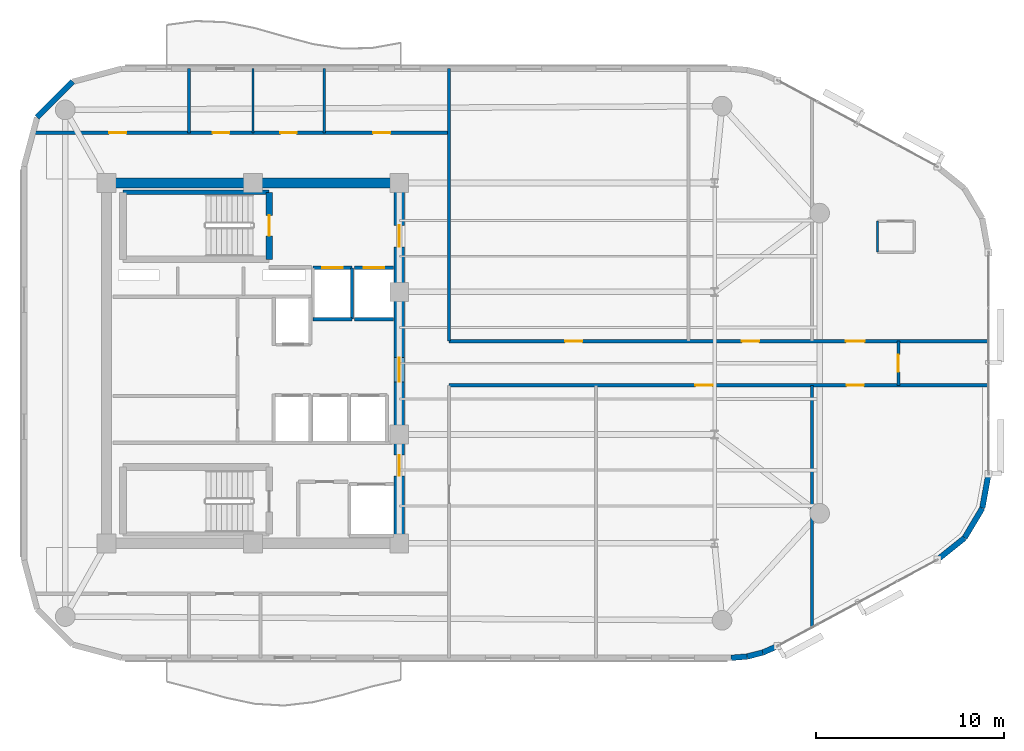
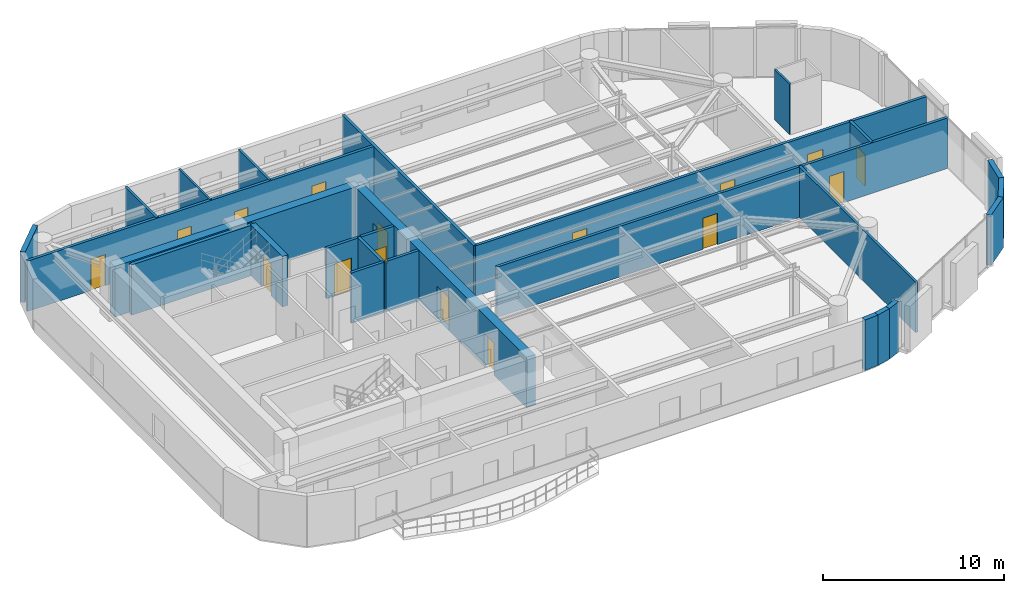
# One storey, part 10 of 13: 26 walls, 16 doors, 16 openings.
"""IFC4 building model written with IfcOpenShell, lengths in metres."""

from ifc_helpers import new_model, si_unit, direction, frame, frame_2d, origin, place, context, subcontext, project, spatial, rectangle, extrude, material, layer, layer_set, type_object, element, fill, save


model = new_model("IFC4")

# Units and contexts
model_context = context("Model", 3, precision=1e-05, world=origin(), true_north=direction((0.0, 1.0)))
body_context = subcontext(model_context, "Body", "Model", "MODEL_VIEW")
ifc_project = project(units=[si_unit("LENGTHUNIT", "METRE"), si_unit("AREAUNIT", "SQUARE_METRE"), si_unit("VOLUMEUNIT", "CUBIC_METRE"), si_unit("PLANEANGLEUNIT", "RADIAN"), si_unit("MASSUNIT", "GRAM", prefix="KILO")], contexts=[model_context])

# Site, building, storey
site_placement = place(None, origin())
site = spatial("IfcSite", under=ifc_project, at=site_placement, CompositionType="ELEMENT")
building_placement = place(site_placement, origin())
building = spatial("IfcBuilding", under=site, at=building_placement, Name="An Khanh Terracotta Commons", CompositionType="ELEMENT")
storey_placement = place(building_placement, frame((0.0, 0.0, 204.89990234375)))
storey = spatial("IfcBuildingStorey", under=building, at=storey_placement, Name="L53", CompositionType="ELEMENT", Elevation=204.89990234375)

# Wall
ifc_material_1 = material(Name="Concrete C50/60", Category="concrete")
ifc_layer_1 = layer(ifc_material_1, 0.550048828125, Name="Concrete C50/60")
ifc_layer_set_1 = layer_set([ifc_layer_1], Name="Concrete C50/60")
wall_type_1 = type_object("IfcWallType", Name="WALL-CORE-550", PredefinedType="SHEAR", material=ifc_layer_set_1)
wall_1_placement = place(storey_placement, frame((21.60009765625, 33.60009765625, 0.0), z_axis=(0.0, 0.0, 1.0), x_axis=(1.0, 0.0, 0.0)))
element("IfcWall", 1, at=wall_1_placement, inside=storey, type_object=wall_type_1, Name="L53 Core Wall CWALL-L53-N", PredefinedType="SHEAR", context=body_context, shape_type="SweptSolid", body=[
    extrude(rectangle(XDim=15.599853515625, YDim=0.550048828125, at=frame_2d((7.7998046875, 0.0))), origin(), (0.0, 0.0, 1.0), 3.400146484375),
])

# Wall, openings, doors
wall_2_placement = place(storey_placement, frame((37.199951171875, 14.39990234375, 0.0), z_axis=(0.0, 0.0, 1.0), x_axis=(0.0, 1.0, 0.0)))
wall_2 = element("IfcWall", 2, at=wall_2_placement, inside=storey, type_object=wall_type_1, Name="L53 Core Wall CWALL-L53-E", PredefinedType="SHEAR", context=body_context, shape_type="SweptSolid", body=[
    extrude(rectangle(XDim=19.2001953125, YDim=0.550048828125, at=frame_2d((9.60009765625, 0.0))), origin(), (0.0, 0.0, 1.0), 3.400146484375),
])
opening_1_placement = place(wall_2_placement, frame((15.800048828125, 0.0, 0.0)))
opening_1 = element("IfcOpeningElement", 3, at=opening_1_placement, cuts=wall_2, Name="Opening D-FFL", PredefinedType="OPENING", context=body_context, shape_type="SweptSolid", body=[
    extrude(rectangle(XDim=1.14990234375, YDim=2.14990234375, at=frame_2d((0.574951171875, 1.074951171875))), frame((0.0, 0.284912109375, 0.0), z_axis=(0.0, -1.0, 0.0), x_axis=(1.0, 0.0, 0.0)), (0.0, 0.0, 1.0), 0.570068359375),
])
opening_2_placement = place(wall_2_placement, frame((3.60009765625, 0.0, 0.0)))
opening_2 = element("IfcOpeningElement", 4, at=opening_2_placement, cuts=wall_2, Name="Opening D-ST", PredefinedType="OPENING", context=body_context, shape_type="SweptSolid", body=[
    extrude(rectangle(XDim=1.10009765625, YDim=2.14990234375, at=frame_2d((0.550048828125, 1.074951171875))), frame((0.0, 0.284912109375, 0.0), z_axis=(0.0, -1.0, 0.0), x_axis=(1.0, 0.0, 0.0)), (0.0, 0.0, 1.0), 0.570068359375),
])
opening_3_placement = place(wall_2_placement, frame((8.60009765625, 0.0, 0.0)))
opening_3 = element("IfcOpeningElement", 5, at=opening_3_placement, cuts=wall_2, Name="Opening D-COR", PredefinedType="OPENING", context=body_context, shape_type="SweptSolid", body=[
    extrude(rectangle(XDim=1.300048828125, YDim=2.199951171875, at=frame_2d((0.64990234375, 1.10009765625))), frame((0.0, 0.284912109375, 0.0), z_axis=(0.0, -1.0, 0.0), x_axis=(1.0, 0.0, 0.0)), (0.0, 0.0, 1.0), 0.570068359375),
])
ifc_material_2 = material(Name="Fire-Rated Glazed Steel Double Door", Category="steel")
door_type_1 = type_object("IfcDoorType", Name="DOOR-CORR-1300", OperationType="NOTDEFINED", PredefinedType="DOOR", material=ifc_material_2)
door_1_placement = place(opening_3_placement, origin())
door_1 = element("IfcDoor", 6, at=door_1_placement, inside=storey, type_object=door_type_1, Name="L53 Passenger Lift Lobby Double Door", OperationType="DOUBLE_DOOR_SINGLE_SWING", OverallHeight=2.199951171875, OverallWidth=1.300048828125, PredefinedType="DOOR", context=body_context, shape_type="SweptSolid", body=[
    extrude(rectangle(XDim=1.300048828125, YDim=2.199951171875, at=frame_2d((0.64990234375, 1.10009765625))), frame((0.0, 0.02490234375, 0.0), z_axis=(0.0, -1.0, 0.0), x_axis=(1.0, 0.0, 0.0)), (0.0, 0.0, 1.0), 0.050048828125),
])
fill(opening_3, door_1)
ifc_material_3 = material(Name="Fire-Rated Steel Leaf and Vision Panel", Category="steel")
door_type_2 = type_object("IfcDoorType", Name="DOOR-FFL-1150", OperationType="NOTDEFINED", PredefinedType="DOOR", material=ifc_material_3)
door_2_placement = place(opening_1_placement, origin())
door_2 = element("IfcDoor", 7, at=door_2_placement, inside=storey, type_object=door_type_2, Name="L53 Firefighting Lift Lobby Fire Door", OperationType="SINGLE_SWING_LEFT", OverallHeight=2.14990234375, OverallWidth=1.14990234375, PredefinedType="DOOR", context=body_context, shape_type="SweptSolid", body=[
    extrude(rectangle(XDim=1.14990234375, YDim=2.14990234375, at=frame_2d((0.574951171875, 1.074951171875))), frame((0.0, 0.02490234375, 0.0), z_axis=(0.0, -1.0, 0.0), x_axis=(1.0, 0.0, 0.0)), (0.0, 0.0, 1.0), 0.050048828125),
])
fill(opening_1, door_2)
ifc_material_4 = material(Name="Fire-Rated Steel Leaf and Frame", Category="steel")
door_type_3 = type_object("IfcDoorType", Name="DOOR-STAIR-1100", OperationType="NOTDEFINED", PredefinedType="DOOR", material=ifc_material_4)
door_3_placement = place(opening_2_placement, origin())
door_3 = element("IfcDoor", 8, at=door_3_placement, inside=storey, type_object=door_type_3, Name="L53 South Stair Lobby Fire Door", OperationType="SINGLE_SWING_RIGHT", OverallHeight=2.14990234375, OverallWidth=1.10009765625, PredefinedType="DOOR", context=body_context, shape_type="SweptSolid", body=[
    extrude(rectangle(XDim=1.10009765625, YDim=2.14990234375, at=frame_2d((0.550048828125, 1.074951171875))), frame((0.0, 0.02490234375, 0.0), z_axis=(0.0, -1.0, 0.0), x_axis=(1.0, 0.0, 0.0)), (0.0, 0.0, 1.0), 0.050048828125),
])
fill(opening_2, door_3)

# Wall, opening, door
ifc_material_5 = material(Name="Fire-Rated Gypsum Board on Steel Stud", Category="steel")
ifc_layer_2 = layer(ifc_material_5, 0.179931640625, Name="Fire-Rated Gypsum Board on Steel Stud")
ifc_layer_set_2 = layer_set([ifc_layer_2], Name="Fire-Rated Gypsum Board on Steel Stud")
wall_type_2 = type_object("IfcWallType", Name="WALL-CORR-180", PredefinedType="PARTITIONING", material=ifc_layer_set_2)
wall_3_placement = place(storey_placement, frame((32.60009765625, 29.080078125, 0.0), z_axis=(0.0, 0.0, 1.0), x_axis=(1.0, 0.0, 0.0)))
wall_3 = element("IfcWall", 9, at=wall_3_placement, inside=storey, type_object=wall_type_2, Name="L53 Core Wall LSH-L53-FFL-01-N", PredefinedType="PARTITIONING", context=body_context, shape_type="SweptSolid", body=[
    extrude(rectangle(XDim=2.079833984375, YDim=0.179931640625, at=frame_2d((1.0400390625, 0.0))), origin(), (0.0, 0.0, 1.0), 3.400146484375),
])
opening_4_placement = place(wall_3_placement, frame((0.489990234375, 0.0, 0.0)))
opening_4 = element("IfcOpeningElement", 10, at=opening_4_placement, cuts=wall_3, Name="Opening LD-FFL-01-L53", PredefinedType="OPENING", context=body_context, shape_type="SweptSolid", body=[
    extrude(rectangle(XDim=1.10009765625, YDim=2.199951171875, at=frame_2d((0.550048828125, 1.10009765625))), frame((0.0, 0.099853515625, 0.0), z_axis=(0.0, -1.0, 0.0), x_axis=(1.0, 0.0, 0.0)), (0.0, 0.0, 1.0), 0.199951171875),
])
ifc_material_6 = material(Name="Brushed Stainless Steel Fire Landing Door", Category="steel")
door_type_4 = type_object("IfcDoorType", Name="DOOR-LD-FFL-1100", OperationType="NOTDEFINED", PredefinedType="DOOR", material=ifc_material_6)
door_4_placement = place(opening_4_placement, origin())
door_4 = element("IfcDoor", 11, at=door_4_placement, inside=storey, type_object=door_type_4, Name="L53 Lift FFL-01 Sliding Landing Door", OperationType="DOUBLE_DOOR_SLIDING", OverallHeight=2.199951171875, OverallWidth=1.10009765625, PredefinedType="DOOR", context=body_context, shape_type="SweptSolid", body=[
    extrude(rectangle(XDim=1.10009765625, YDim=2.199951171875, at=frame_2d((0.550048828125, 1.10009765625))), frame((0.0, 0.02490234375, 0.0), z_axis=(0.0, -1.0, 0.0), x_axis=(1.0, 0.0, 0.0)), (0.0, 0.0, 1.0), 0.050048828125),
])
fill(opening_4, door_4)

# Walls
wall_4_placement = place(storey_placement, frame((34.679931640625, 26.35009765625, 0.0), z_axis=(0.0, 0.0, 1.0), x_axis=(-1.0, 0.0, 0.0)))
element("IfcWall", 12, at=wall_4_placement, inside=storey, type_object=wall_type_2, Name="L53 Core Wall LSH-L53-FFL-01-S", PredefinedType="PARTITIONING", context=body_context, shape_type="SweptSolid", body=[
    extrude(rectangle(XDim=2.079833984375, YDim=0.179931640625, at=frame_2d((1.0400390625, 0.0))), origin(), (0.0, 0.0, 1.0), 3.400146484375),
])
wall_5_placement = place(storey_placement, frame((34.679931640625, 26.35009765625, 0.0), z_axis=(0.0, 0.0, 1.0), x_axis=(0.0, 1.0, 0.0)))
element("IfcWall", 13, at=wall_5_placement, inside=storey, type_object=wall_type_2, Name="L53 Core Wall LSH-L53-FFL-01-E", PredefinedType="PARTITIONING", context=body_context, shape_type="SweptSolid", body=[
    extrude(rectangle(XDim=2.72998046875, YDim=0.179931640625, at=frame_2d((1.364990234375, 0.0))), origin(), (0.0, 0.0, 1.0), 3.400146484375),
])

# Wall, opening, door
wall_6_placement = place(storey_placement, frame((34.820068359375, 29.080078125, 0.0), z_axis=(0.0, 0.0, 1.0), x_axis=(1.0, 0.0, 0.0)))
wall_6 = element("IfcWall", 14, at=wall_6_placement, inside=storey, type_object=wall_type_2, Name="L53 Core Wall LSH-L53-FFL-02-N", PredefinedType="PARTITIONING", context=body_context, shape_type="SweptSolid", body=[
    extrude(rectangle(XDim=2.079833984375, YDim=0.179931640625, at=frame_2d((1.0400390625, 0.0))), origin(), (0.0, 0.0, 1.0), 3.400146484375),
])
opening_5_placement = place(wall_6_placement, frame((0.489990234375, 0.0, 0.0)))
opening_5 = element("IfcOpeningElement", 15, at=opening_5_placement, cuts=wall_6, Name="Opening LD-FFL-02-L53", PredefinedType="OPENING", context=body_context, shape_type="SweptSolid", body=[
    extrude(rectangle(XDim=1.10009765625, YDim=2.199951171875, at=frame_2d((0.550048828125, 1.10009765625))), frame((0.0, 0.099853515625, 0.0), z_axis=(0.0, -1.0, 0.0), x_axis=(1.0, 0.0, 0.0)), (0.0, 0.0, 1.0), 0.199951171875),
])
door_5_placement = place(opening_5_placement, origin())
door_5 = element("IfcDoor", 16, at=door_5_placement, inside=storey, type_object=door_type_4, Name="L53 Lift FFL-02 Sliding Landing Door", OperationType="DOUBLE_DOOR_SLIDING", OverallHeight=2.199951171875, OverallWidth=1.10009765625, PredefinedType="DOOR", context=body_context, shape_type="SweptSolid", body=[
    extrude(rectangle(XDim=1.10009765625, YDim=2.199951171875, at=frame_2d((0.550048828125, 1.10009765625))), frame((0.0, 0.02490234375, 0.0), z_axis=(0.0, -1.0, 0.0), x_axis=(1.0, 0.0, 0.0)), (0.0, 0.0, 1.0), 0.050048828125),
])
fill(opening_5, door_5)

# Wall
wall_7_placement = place(storey_placement, frame((36.89990234375, 26.35009765625, 0.0), z_axis=(0.0, 0.0, 1.0), x_axis=(-1.0, 0.0, 0.0)))
element("IfcWall", 17, at=wall_7_placement, inside=storey, type_object=wall_type_2, Name="L53 Core Wall LSH-L53-FFL-02-S", PredefinedType="PARTITIONING", context=body_context, shape_type="SweptSolid", body=[
    extrude(rectangle(XDim=2.079833984375, YDim=0.179931640625, at=frame_2d((1.0400390625, 0.0))), origin(), (0.0, 0.0, 1.0), 3.400146484375),
])

# Wall, openings, doors
wall_8_placement = place(storey_placement, frame((39.85009765625, 22.820068359375, 0.0), z_axis=(0.0, 0.0, 1.0), x_axis=(1.0, 0.0, 0.0)))
wall_8 = element("IfcWall", 18, at=wall_8_placement, inside=storey, type_object=wall_type_2, Name="L53 Interior Partition IW-L53-E002", PredefinedType="PARTITIONING", context=body_context, shape_type="SweptSolid", body=[
    extrude(rectangle(XDim=28.75, YDim=0.179931640625, at=frame_2d((14.375, 0.0))), origin(), (0.0, 0.0, 1.0), 3.400146484375),
])
opening_6_placement = place(wall_8_placement, frame((13.131103515625, 0.0, 0.0)))
opening_6 = element("IfcOpeningElement", 19, at=opening_6_placement, cuts=wall_8, Name="Opening D-RM", PredefinedType="OPENING", context=body_context, shape_type="SweptSolid", body=[
    extrude(rectangle(XDim=0.919921875, YDim=2.10009765625, at=frame_2d((0.4599609375, 1.050048828125))), frame((0.0, 0.099853515625, 0.0), z_axis=(0.0, -1.0, 0.0), x_axis=(1.0, 0.0, 0.0)), (0.0, 0.0, 1.0), 0.199951171875),
])
opening_7_placement = place(wall_8_placement, frame((21.18994140625, 0.0, 0.0)))
opening_7 = element("IfcOpeningElement", 20, at=opening_7_placement, cuts=wall_8, Name="Opening D-RM", PredefinedType="OPENING", context=body_context, shape_type="SweptSolid", body=[
    extrude(rectangle(XDim=0.919921875, YDim=2.10009765625, at=frame_2d((0.4599609375, 1.050048828125))), frame((0.0, 0.099853515625, 0.0), z_axis=(0.0, -1.0, 0.0), x_axis=(1.0, 0.0, 0.0)), (0.0, 0.0, 1.0), 0.199951171875),
])
ifc_material_7 = material(Name="Engineered Hardwood Timber Leaf", Category="wood")
door_type_5 = type_object("IfcDoorType", Name="DOOR-INT-920", OperationType="NOTDEFINED", PredefinedType="DOOR", material=ifc_material_7)
door_6_placement = place(opening_6_placement, origin())
door_6 = element("IfcDoor", 21, at=door_6_placement, inside=storey, type_object=door_type_5, Name="L53 SB2 Group Tutorial Meeting Room Door", OperationType="SINGLE_SWING_LEFT", OverallHeight=2.10009765625, OverallWidth=0.919921875, PredefinedType="DOOR", context=body_context, shape_type="SweptSolid", body=[
    extrude(rectangle(XDim=0.919921875, YDim=2.10009765625, at=frame_2d((0.4599609375, 1.050048828125))), frame((0.0, 0.02490234375, 0.0), z_axis=(0.0, -1.0, 0.0), x_axis=(1.0, 0.0, 0.0)), (0.0, 0.0, 1.0), 0.050048828125),
])
fill(opening_6, door_6)
door_7_placement = place(opening_7_placement, origin())
door_7 = element("IfcDoor", 22, at=door_7_placement, inside=storey, type_object=door_type_5, Name="L53 ENO2 Riverfront Reading Hall Door", OperationType="SINGLE_SWING_LEFT", OverallHeight=2.10009765625, OverallWidth=0.919921875, PredefinedType="DOOR", context=body_context, shape_type="SweptSolid", body=[
    extrude(rectangle(XDim=0.919921875, YDim=2.10009765625, at=frame_2d((0.4599609375, 1.050048828125))), frame((0.0, 0.02490234375, 0.0), z_axis=(0.0, -1.0, 0.0), x_axis=(1.0, 0.0, 0.0)), (0.0, 0.0, 1.0), 0.050048828125),
])
fill(opening_7, door_7)

wall_9_placement = place(storey_placement, frame((39.85009765625, 25.179931640625, 0.0), z_axis=(0.0, 0.0, 1.0), x_axis=(1.0, 0.0, 0.0)))
wall_9 = element("IfcWall", 23, at=wall_9_placement, inside=storey, type_object=wall_type_2, Name="L53 Interior Partition IW-L53-E003", PredefinedType="PARTITIONING", context=body_context, shape_type="SweptSolid", body=[
    extrude(rectangle(XDim=28.75, YDim=0.179931640625, at=frame_2d((14.375, 0.0))), origin(), (0.0, 0.0, 1.0), 3.400146484375),
])
opening_8_placement = place(wall_9_placement, frame((6.18505859375, 0.0, 0.0)))
opening_8 = element("IfcOpeningElement", 24, at=opening_8_placement, cuts=wall_9, Name="Opening D-RM", PredefinedType="OPENING", context=body_context, shape_type="SweptSolid", body=[
    extrude(rectangle(XDim=0.919921875, YDim=2.10009765625, at=frame_2d((0.4599609375, 1.050048828125))), frame((0.0, 0.099853515625, 0.0), z_axis=(0.0, -1.0, 0.0), x_axis=(1.0, 0.0, 0.0)), (0.0, 0.0, 1.0), 0.199951171875),
])
opening_9_placement = place(wall_9_placement, frame((15.60107421875, 0.0, 0.0)))
opening_9 = element("IfcOpeningElement", 25, at=opening_9_placement, cuts=wall_9, Name="Opening D-RM", PredefinedType="OPENING", context=body_context, shape_type="SweptSolid", body=[
    extrude(rectangle(XDim=0.919921875, YDim=2.10009765625, at=frame_2d((0.4599609375, 1.050048828125))), frame((0.0, 0.099853515625, 0.0), z_axis=(0.0, -1.0, 0.0), x_axis=(1.0, 0.0, 0.0)), (0.0, 0.0, 1.0), 0.199951171875),
])
opening_10_placement = place(wall_9_placement, frame((21.14990234375, 0.0, 0.0)))
opening_10 = element("IfcOpeningElement", 26, at=opening_10_placement, cuts=wall_9, Name="Opening D-UN", PredefinedType="OPENING", context=body_context, shape_type="SweptSolid", body=[
    extrude(rectangle(XDim=1.0, YDim=2.14990234375, at=frame_2d((0.5, 1.074951171875))), frame((0.0, 0.099853515625, 0.0), z_axis=(0.0, -1.0, 0.0), x_axis=(1.0, 0.0, 0.0)), (0.0, 0.0, 1.0), 0.199951171875),
])
door_8_placement = place(opening_8_placement, origin())
door_8 = element("IfcDoor", 27, at=door_8_placement, inside=storey, type_object=door_type_5, Name="L53 NB1 Group Tutorial Meeting Room Door", OperationType="SINGLE_SWING_RIGHT", OverallHeight=2.10009765625, OverallWidth=0.919921875, PredefinedType="DOOR", context=body_context, shape_type="SweptSolid", body=[
    extrude(rectangle(XDim=0.919921875, YDim=2.10009765625, at=frame_2d((0.4599609375, 1.050048828125))), frame((0.0, 0.02490234375, 0.0), z_axis=(0.0, -1.0, 0.0), x_axis=(1.0, 0.0, 0.0)), (0.0, 0.0, 1.0), 0.050048828125),
])
fill(opening_8, door_8)
door_9_placement = place(opening_9_placement, origin())
door_9 = element("IfcDoor", 28, at=door_9_placement, inside=storey, type_object=door_type_5, Name="L53 NB2 Group Tutorial Meeting Room Door", OperationType="SINGLE_SWING_LEFT", OverallHeight=2.10009765625, OverallWidth=0.919921875, PredefinedType="DOOR", context=body_context, shape_type="SweptSolid", body=[
    extrude(rectangle(XDim=0.919921875, YDim=2.10009765625, at=frame_2d((0.4599609375, 1.050048828125))), frame((0.0, 0.02490234375, 0.0), z_axis=(0.0, -1.0, 0.0), x_axis=(1.0, 0.0, 0.0)), (0.0, 0.0, 1.0), 0.050048828125),
])
fill(opening_9, door_9)
ifc_material_8 = material(Name="Solid-Core Hardwood Acoustic Fire Door", Category="wood")
door_type_6 = type_object("IfcDoorType", Name="DOOR-UNIT-1000", OperationType="NOTDEFINED", PredefinedType="DOOR", material=ifc_material_8)
door_10_placement = place(opening_10_placement, origin())
door_10 = element("IfcDoor", 29, at=door_10_placement, inside=storey, type_object=door_type_6, Name="L53 ENO1 Kitchenette and Studio Apartment Door", OperationType="SINGLE_SWING_RIGHT", OverallHeight=2.14990234375, OverallWidth=1.0, PredefinedType="DOOR", context=body_context, shape_type="SweptSolid", body=[
    extrude(rectangle(XDim=1.0, YDim=2.14990234375, at=frame_2d((0.5, 1.074951171875))), frame((0.0, 0.02490234375, 0.0), z_axis=(0.0, -1.0, 0.0), x_axis=(1.0, 0.0, 0.0)), (0.0, 0.0, 1.0), 0.050048828125),
])
fill(opening_10, door_10)

wall_10_placement = place(storey_placement, frame((17.677001953125, 36.280029296875, 0.0), z_axis=(0.0, 0.0, 1.0), x_axis=(1.0, 0.0, 0.0)))
wall_10 = element("IfcWall", 30, at=wall_10_placement, inside=storey, type_object=wall_type_2, Name="L53 Interior Partition IW-L53-E004", PredefinedType="PARTITIONING", context=body_context, shape_type="SweptSolid", body=[
    extrude(rectangle(XDim=22.173095703125, YDim=0.179931640625, at=frame_2d((11.08642578125, 0.0))), origin(), (0.0, 0.0, 1.0), 3.400146484375),
])
opening_11_placement = place(wall_10_placement, frame((9.572998046875, 0.0, 0.0)))
opening_11 = element("IfcOpeningElement", 31, at=opening_11_placement, cuts=wall_10, Name="Opening D-WC", PredefinedType="OPENING", context=body_context, shape_type="SweptSolid", body=[
    extrude(rectangle(XDim=0.89990234375, YDim=2.10009765625, at=frame_2d((0.449951171875, 1.050048828125))), frame((0.0, 0.099853515625, 0.0), z_axis=(0.0, -1.0, 0.0), x_axis=(1.0, 0.0, 0.0)), (0.0, 0.0, 1.0), 0.199951171875),
])
opening_12_placement = place(wall_10_placement, frame((13.193115234375, 0.0, 0.0)))
opening_12 = element("IfcOpeningElement", 32, at=opening_12_placement, cuts=wall_10, Name="Opening D-ENS", PredefinedType="OPENING", context=body_context, shape_type="SweptSolid", body=[
    extrude(rectangle(XDim=0.860107421875, YDim=2.10009765625, at=frame_2d((0.43017578125, 1.050048828125))), frame((0.0, 0.099853515625, 0.0), z_axis=(0.0, -1.0, 0.0), x_axis=(1.0, 0.0, 0.0)), (0.0, 0.0, 1.0), 0.199951171875),
])
opening_13_placement = place(wall_10_placement, frame((4.06298828125, 0.0, 0.0)))
opening_13 = element("IfcOpeningElement", 33, at=opening_13_placement, cuts=wall_10, Name="Opening D-RM", PredefinedType="OPENING", context=body_context, shape_type="SweptSolid", body=[
    extrude(rectangle(XDim=0.919921875, YDim=2.10009765625, at=frame_2d((0.4599609375, 1.050048828125))), frame((0.0, 0.099853515625, 0.0), z_axis=(0.0, -1.0, 0.0), x_axis=(1.0, 0.0, 0.0)), (0.0, 0.0, 1.0), 0.199951171875),
])
opening_14_placement = place(wall_10_placement, frame((18.1279296875, 0.0, 0.0)))
opening_14 = element("IfcOpeningElement", 34, at=opening_14_placement, cuts=wall_10, Name="Opening D-RM", PredefinedType="OPENING", context=body_context, shape_type="SweptSolid", body=[
    extrude(rectangle(XDim=0.919921875, YDim=2.10009765625, at=frame_2d((0.4599609375, 1.050048828125))), frame((0.0, 0.099853515625, 0.0), z_axis=(0.0, -1.0, 0.0), x_axis=(1.0, 0.0, 0.0)), (0.0, 0.0, 1.0), 0.199951171875),
])
ifc_material_9 = material(Name="Moisture-Resistant Hardwood Timber Leaf", Category="wood")
door_type_7 = type_object("IfcDoorType", Name="DOOR-BATH-860", OperationType="NOTDEFINED", PredefinedType="DOOR", material=ifc_material_9)
door_11_placement = place(opening_12_placement, origin())
door_11 = element("IfcDoor", 35, at=door_11_placement, inside=storey, type_object=door_type_7, Name="L53 SHW Resident Shared Shower and Washroom Door", OperationType="SINGLE_SWING_RIGHT", OverallHeight=2.10009765625, OverallWidth=0.860107421875, PredefinedType="DOOR", context=body_context, shape_type="SweptSolid", body=[
    extrude(rectangle(XDim=0.860107421875, YDim=2.10009765625, at=frame_2d((0.43017578125, 1.050048828125))), frame((0.0, 0.02490234375, 0.0), z_axis=(0.0, -1.0, 0.0), x_axis=(1.0, 0.0, 0.0)), (0.0, 0.0, 1.0), 0.050048828125),
])
fill(opening_12, door_11)
door_12_placement = place(opening_13_placement, origin())
door_12 = element("IfcDoor", 36, at=door_12_placement, inside=storey, type_object=door_type_5, Name="L53 NW1 Group Tutorial Meeting Room Door", OperationType="SINGLE_SWING_LEFT", OverallHeight=2.10009765625, OverallWidth=0.919921875, PredefinedType="DOOR", context=body_context, shape_type="SweptSolid", body=[
    extrude(rectangle(XDim=0.919921875, YDim=2.10009765625, at=frame_2d((0.4599609375, 1.050048828125))), frame((0.0, 0.02490234375, 0.0), z_axis=(0.0, -1.0, 0.0), x_axis=(1.0, 0.0, 0.0)), (0.0, 0.0, 1.0), 0.050048828125),
])
fill(opening_13, door_12)
door_13_placement = place(opening_14_placement, origin())
door_13 = element("IfcDoor", 37, at=door_13_placement, inside=storey, type_object=door_type_5, Name="L53 NWE Group Tutorial Meeting Room Door", OperationType="SINGLE_SWING_RIGHT", OverallHeight=2.10009765625, OverallWidth=0.919921875, PredefinedType="DOOR", context=body_context, shape_type="SweptSolid", body=[
    extrude(rectangle(XDim=0.919921875, YDim=2.10009765625, at=frame_2d((0.4599609375, 1.050048828125))), frame((0.0, 0.02490234375, 0.0), z_axis=(0.0, -1.0, 0.0), x_axis=(1.0, 0.0, 0.0)), (0.0, 0.0, 1.0), 0.050048828125),
])
fill(opening_14, door_13)
ifc_material_10 = material(Name="Laminate Moisture-Resistant Timber Leaf", Category="wood")
door_type_8 = type_object("IfcDoorType", Name="DOOR-WC-900", OperationType="NOTDEFINED", PredefinedType="DOOR", material=ifc_material_10)
door_14_placement = place(opening_11_placement, origin())
door_14 = element("IfcDoor", 38, at=door_14_placement, inside=storey, type_object=door_type_8, Name="L53 AWC Accessible WC Door", OperationType="SINGLE_SWING_LEFT", OverallHeight=2.10009765625, OverallWidth=0.89990234375, PredefinedType="DOOR", context=body_context, shape_type="SweptSolid", body=[
    extrude(rectangle(XDim=0.89990234375, YDim=2.10009765625, at=frame_2d((0.449951171875, 1.050048828125))), frame((0.0, 0.02490234375, 0.0), z_axis=(0.0, -1.0, 0.0), x_axis=(1.0, 0.0, 0.0)), (0.0, 0.0, 1.0), 0.050048828125),
])
fill(opening_11, door_14)

# Wall
wall_11_placement = place(storey_placement, frame((39.85009765625, 25.179931640625, 0.0), z_axis=(0.0, 0.0, 1.0), x_axis=(0.0, 1.0, 0.0)))
element("IfcWall", 39, at=wall_11_placement, inside=storey, type_object=wall_type_2, Name="L53 Interior Partition IW-L53-E011", PredefinedType="PARTITIONING", context=body_context, shape_type="SweptSolid", body=[
    extrude(rectangle(XDim=14.52001953125, YDim=0.179931640625, at=frame_2d((7.260009765625, 0.0))), origin(), (0.0, 0.0, 1.0), 3.400146484375),
])

# Wall, opening, door
wall_12_placement = place(storey_placement, frame((63.800048828125, 22.820068359375, 0.0), z_axis=(0.0, 0.0, 1.0), x_axis=(0.0, 1.0, 0.0)))
wall_12 = element("IfcWall", 40, at=wall_12_placement, inside=storey, type_object=wall_type_2, Name="L53 Interior Partition IW-L53-E016", PredefinedType="PARTITIONING", context=body_context, shape_type="SweptSolid", body=[
    extrude(rectangle(XDim=2.35986328125, YDim=0.179931640625, at=frame_2d((1.179931640625, 0.0))), origin(), (0.0, 0.0, 1.0), 3.400146484375),
])
opening_15_placement = place(wall_12_placement, frame((0.719970703125, 0.0, 0.0)))
opening_15 = element("IfcOpeningElement", 41, at=opening_15_placement, cuts=wall_12, Name="Opening D-RM", PredefinedType="OPENING", context=body_context, shape_type="SweptSolid", body=[
    extrude(rectangle(XDim=0.919921875, YDim=2.10009765625, at=frame_2d((0.4599609375, 1.050048828125))), frame((0.0, 0.099853515625, 0.0), z_axis=(0.0, -1.0, 0.0), x_axis=(1.0, 0.0, 0.0)), (0.0, 0.0, 1.0), 0.199951171875),
])
door_15_placement = place(opening_15_placement, origin())
door_15 = element("IfcDoor", 42, at=door_15_placement, inside=storey, type_object=door_type_5, Name="L53 ENO3 Quiet Focus Office Door", OperationType="SINGLE_SWING_RIGHT", OverallHeight=2.10009765625, OverallWidth=0.919921875, PredefinedType="DOOR", context=body_context, shape_type="SweptSolid", body=[
    extrude(rectangle(XDim=0.919921875, YDim=2.10009765625, at=frame_2d((0.4599609375, 1.050048828125))), frame((0.0, 0.02490234375, 0.0), z_axis=(0.0, -1.0, 0.0), x_axis=(1.0, 0.0, 0.0)), (0.0, 0.0, 1.0), 0.050048828125),
])
fill(opening_15, door_15)

# Walls
ifc_material_11 = material(Name="Precast concrete C40/50", Category="concrete")
ifc_layer_3 = layer(ifc_material_11, 0.300048828125, Name="Precast concrete C40/50")
ifc_layer_set_3 = layer_set([ifc_layer_3], Name="Precast concrete C40/50")
wall_type_3 = type_object("IfcWallType", Name="WALL-EXT-300", PredefinedType="SOLIDWALL", material=ifc_layer_set_3)
wall_13_placement = place(storey_placement, frame((54.885009765625, 8.300048828125, 0.0), z_axis=(0.0, 0.0, 1.0), x_axis=(0.996565355958, 0.082809971041, 0.0)))
element("IfcWall", 43, at=wall_13_placement, inside=storey, type_object=wall_type_3, Name="L53 Insulated Terracotta Exterior Wall 5", PredefinedType="SOLIDWALL", context=body_context, shape_type="SweptSolid", body=[
    extrude(rectangle(XDim=0.85791015625, YDim=0.300048828125, at=frame_2d((0.428955078125, 0.0))), origin(), (0.0, 0.0, 1.0), 3.400146484375),
])
wall_14_placement = place(storey_placement, frame((55.739990234375, 8.37109375, 0.0), z_axis=(0.0, 0.0, 1.0), x_axis=(0.969536346338, 0.244947490555, 0.0)))
element("IfcWall", 44, at=wall_14_placement, inside=storey, type_object=wall_type_3, Name="L53 Insulated Terracotta Exterior Wall 6", PredefinedType="SOLIDWALL", context=body_context, shape_type="SweptSolid", body=[
    extrude(rectangle(XDim=0.857177734375, YDim=0.300048828125, at=frame_2d((0.4287109375, 0.0))), origin(), (0.0, 0.0, 1.0), 3.400146484375),
])
wall_15_placement = place(storey_placement, frame((56.571044921875, 8.5810546875, 0.0), z_axis=(0.0, 0.0, 1.0), x_axis=(0.916085473636, 0.400983048261, 0.0)))
element("IfcWall", 45, at=wall_15_placement, inside=storey, type_object=wall_type_3, Name="L53 Insulated Terracotta Exterior Wall 7", PredefinedType="SOLIDWALL", context=body_context, shape_type="SweptSolid", body=[
    extrude(rectangle(XDim=0.85791015625, YDim=0.300048828125, at=frame_2d((0.428955078125, 0.0))), origin(), (0.0, 0.0, 1.0), 3.400146484375),
])
wall_16_placement = place(storey_placement, frame((65.8720703125, 13.52587890625, 0.0), z_axis=(0.0, 0.0, 1.0), x_axis=(0.780920189257, 0.624630817372, 0.0)))
element("IfcWall", 46, at=wall_16_placement, inside=storey, type_object=wall_type_3, Name="L53 Insulated Terracotta Exterior Wall 9", PredefinedType="SOLIDWALL", context=body_context, shape_type="SweptSolid", body=[
    extrude(rectangle(XDim=1.854248046875, YDim=0.300048828125, at=frame_2d((0.92724609375, 0.0))), origin(), (0.0, 0.0, 1.0), 3.400146484375),
])
wall_17_placement = place(storey_placement, frame((67.320068359375, 14.68408203125, 0.0), z_axis=(0.0, 0.0, 1.0), x_axis=(0.512072018927, 0.858942516955, 0.0)))
element("IfcWall", 47, at=wall_17_placement, inside=storey, type_object=wall_type_3, Name="L53 Insulated Terracotta Exterior Wall 10", PredefinedType="SOLIDWALL", context=body_context, shape_type="SweptSolid", body=[
    extrude(rectangle(XDim=1.853271484375, YDim=0.300048828125, at=frame_2d((0.9267578125, 0.0))), origin(), (0.0, 0.0, 1.0), 3.400146484375),
])
wall_18_placement = place(storey_placement, frame((68.26904296875, 16.27587890625, 0.0), z_axis=(0.0, 0.0, 1.0), x_axis=(0.178468469252, 0.983945631365, 0.0)))
element("IfcWall", 48, at=wall_18_placement, inside=storey, type_object=wall_type_3, Name="L53 Insulated Terracotta Exterior Wall 11", PredefinedType="SOLIDWALL", context=body_context, shape_type="SweptSolid", body=[
    extrude(rectangle(XDim=1.85498046875, YDim=0.300048828125, at=frame_2d((0.927490234375, 0.0))), origin(), (0.0, 0.0, 1.0), 3.400146484375),
])
wall_19_placement = place(storey_placement, frame((19.800048828125, 39.0029296875, 0.0), z_axis=(0.0, 0.0, 1.0), x_axis=(-0.707152139074, -0.70706142039, 0.0)))
element("IfcWall", 49, at=wall_19_placement, inside=storey, type_object=wall_type_3, Name="L53 Insulated Terracotta Exterior Wall 22", PredefinedType="SOLIDWALL", context=body_context, shape_type="SweptSolid", body=[
    extrude(rectangle(XDim=2.691162109375, YDim=0.300048828125, at=frame_2d((1.345703125, 0.0))), origin(), (0.0, 0.0, 1.0), 3.400146484375),
])
ifc_material_12 = material(Name="Acoustic Gypsum Board Partition")
ifc_layer_4 = layer(ifc_material_12, 0.14990234375, Name="Acoustic Gypsum Board Partition")
ifc_layer_set_4 = layer_set([ifc_layer_4], Name="Acoustic Gypsum Board Partition")
wall_type_4 = type_object("IfcWallType", Name="WALL-PART-150", PredefinedType="PARTITIONING", material=ifc_layer_set_4)
for number, where, z_axis, x_axis, name in (
    (50, (26.0, 36.280029296875, 0.0), (0.0, 0.0, 1.0), (0.0, 1.0, 0.0), "L53 Interior Partition IW-L53-E006"),
    (51, (33.199951171875, 36.280029296875, 0.0), (0.0, 0.0, 1.0), (0.0, 1.0, 0.0), "L53 Interior Partition IW-L53-E009"),
):
    element("IfcWall", number, at=place(storey_placement, frame(where, z_axis=z_axis, x_axis=x_axis)), inside=storey, type_object=wall_type_4, Name=name, PredefinedType="PARTITIONING", context=body_context, shape_type="SweptSolid", body=[
        extrude(rectangle(XDim=3.419921875, YDim=0.14990234375, at=frame_2d((1.7099609375, 0.0))), origin(), (0.0, 0.0, 1.0), 3.400146484375),
    ])
wall_20_placement = place(storey_placement, frame((59.199951171875, 9.9208984375, 0.0), z_axis=(0.0, 0.0, 1.0), x_axis=(0.0, 1.0, 0.0)))
element("IfcWall", 52, at=wall_20_placement, inside=storey, type_object=wall_type_4, Name="L53 Interior Partition IW-L53-E014", PredefinedType="PARTITIONING", context=body_context, shape_type="SweptSolid", body=[
    extrude(rectangle(XDim=12.899169921875, YDim=0.14990234375, at=frame_2d((6.44970703125, 0.0))), origin(), (0.0, 0.0, 1.0), 3.400146484375),
])
ifc_material_13 = material(Name="Acoustic Double-Stud Gypsum and Mineral Wool")
ifc_layer_5 = layer(ifc_material_13, 0.219970703125, Name="Acoustic Double-Stud Gypsum and Mineral Wool")
ifc_layer_set_5 = layer_set([ifc_layer_5], Name="Acoustic Double-Stud Gypsum and Mineral Wool")
wall_type_5 = type_object("IfcWallType", Name="WALL-PARTY-220", PredefinedType="PARTITIONING", material=ifc_layer_set_5)
wall_21_placement = place(storey_placement, frame((22.47998046875, 33.110107421875, 0.0), z_axis=(0.0, 0.0, 1.0), x_axis=(1.0, 0.0, 0.0)))
element("IfcWall", 53, at=wall_21_placement, inside=storey, type_object=wall_type_5, Name="L53 Core Wall STW-L53-N-N", PredefinedType="PARTITIONING", context=body_context, shape_type="SweptSolid", body=[
    extrude(rectangle(XDim=7.7900390625, YDim=0.219970703125, at=frame_2d((3.89501953125, 0.0))), origin(), (0.0, 0.0, 1.0), 3.400146484375),
])

# Wall, opening, door
ifc_layer_6 = layer(ifc_material_1, 0.35009765625, Name="Concrete C50/60")
ifc_layer_set_6 = layer_set([ifc_layer_6], Name="Concrete C50/60")
wall_type_6 = type_object("IfcWallType", Name="WALL-SHAFT-350", PredefinedType="SOLIDWALL", material=ifc_layer_set_6)
wall_22_placement = place(storey_placement, frame((30.27001953125, 29.530029296875, 0.0), z_axis=(0.0, 0.0, 1.0), x_axis=(0.0, 1.0, 0.0)))
wall_22 = element("IfcWall", 54, at=wall_22_placement, inside=storey, type_object=wall_type_6, Name="L53 Core Wall STW-L53-N-E", PredefinedType="SOLIDWALL", context=body_context, shape_type="SweptSolid", body=[
    extrude(rectangle(XDim=3.580078125, YDim=0.35009765625, at=frame_2d((1.7900390625, 0.0))), origin(), (0.0, 0.0, 1.0), 3.400146484375),
])
opening_16_placement = place(wall_22_placement, frame((1.25, 0.0, 0.0)))
opening_16 = element("IfcOpeningElement", 55, at=opening_16_placement, cuts=wall_22, Name="Opening D-ST", PredefinedType="OPENING", context=body_context, shape_type="SweptSolid", body=[
    extrude(rectangle(XDim=1.10009765625, YDim=2.14990234375, at=frame_2d((0.550048828125, 1.074951171875))), frame((0.0, 0.18505859375, 0.0), z_axis=(0.0, -1.0, 0.0), x_axis=(1.0, 0.0, 0.0)), (0.0, 0.0, 1.0), 0.3701171875),
])
door_16_placement = place(opening_16_placement, origin())
door_16 = element("IfcDoor", 56, at=door_16_placement, inside=storey, type_object=door_type_3, Name="L53 Stair ST-01 Fire Door", OperationType="SINGLE_SWING_LEFT", OverallHeight=2.14990234375, OverallWidth=1.10009765625, PredefinedType="DOOR", context=body_context, shape_type="SweptSolid", body=[
    extrude(rectangle(XDim=1.10009765625, YDim=2.14990234375, at=frame_2d((0.550048828125, 1.074951171875))), frame((0.0, 0.02490234375, 0.0), z_axis=(0.0, -1.0, 0.0), x_axis=(1.0, 0.0, 0.0)), (0.0, 0.0, 1.0), 0.050048828125),
])
fill(opening_16, door_16)

# Walls
ifc_material_14 = material(Name="Moisture-Resistant Cement Board Partition")
ifc_layer_7 = layer(ifc_material_14, 0.1201171875, Name="Moisture-Resistant Cement Board Partition")
ifc_layer_set_7 = layer_set([ifc_layer_7], Name="Moisture-Resistant Cement Board Partition")
wall_type_7 = type_object("IfcWallType", Name="WALL-WET-120", PredefinedType="PARTITIONING", material=ifc_layer_set_7)
wall_23_placement = place(storey_placement, frame((62.68603515625, 31.56494140625, 0.0), z_axis=(0.0, 0.0, 1.0), x_axis=(0.0, -1.0, 0.0)))
element("IfcWall", 57, at=wall_23_placement, inside=storey, type_object=wall_type_7, Name="L53 Interior Partition IW-L53-ENO1-BW", PredefinedType="PARTITIONING", context=body_context, shape_type="SweptSolid", body=[
    extrude(rectangle(XDim=1.64990234375, YDim=0.1201171875, at=frame_2d((0.824951171875, 0.0))), origin(), (0.0, 0.0, 1.0), 3.400146484375),
])
wall_24_placement = place(storey_placement, frame((29.39990234375, 36.280029296875, 0.0), z_axis=(0.0, 0.0, 1.0), x_axis=(0.0, 1.0, 0.0)))
element("IfcWall", 58, at=wall_24_placement, inside=storey, type_object=wall_type_7, Name="L53 Interior Partition IW-L53-E007", PredefinedType="PARTITIONING", context=body_context, shape_type="SweptSolid", body=[
    extrude(rectangle(XDim=3.419921875, YDim=0.1201171875, at=frame_2d((1.7099609375, 0.0))), origin(), (0.0, 0.0, 1.0), 3.400146484375),
])

save(model, "model.ifc")
